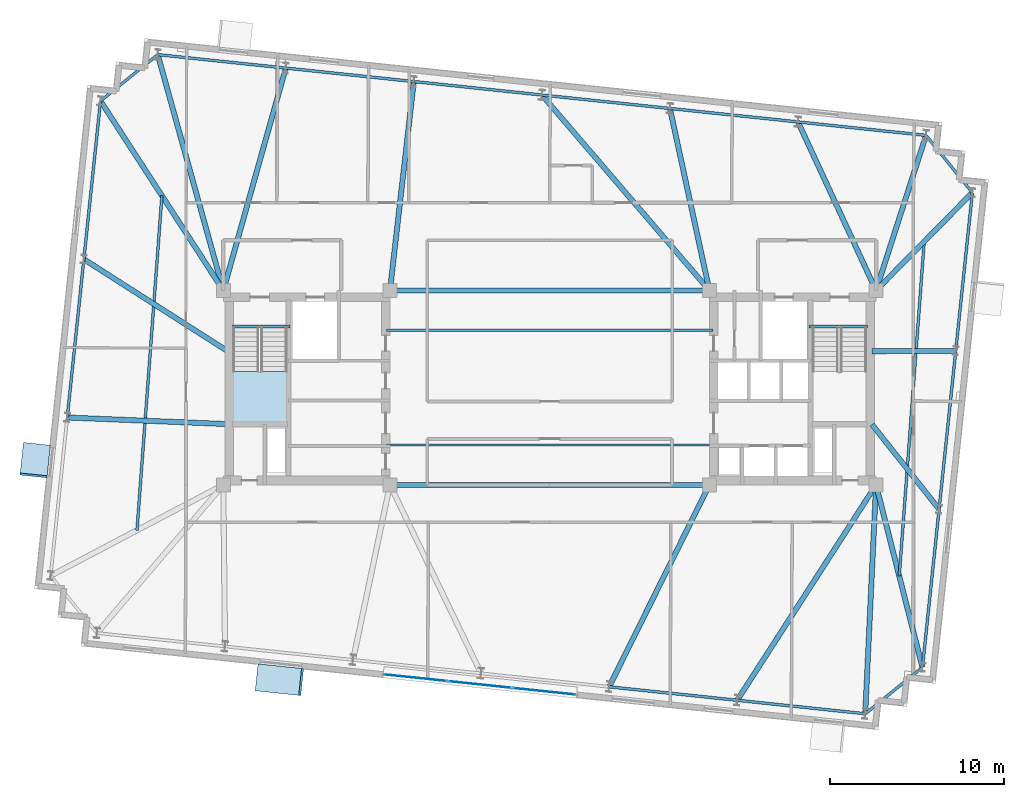
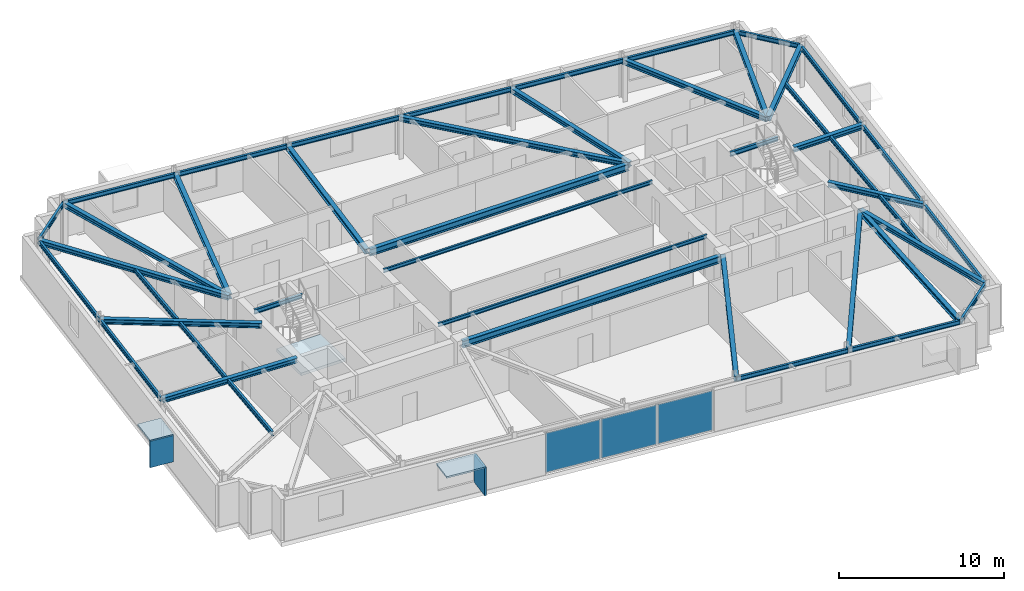
# One storey, part 6 of 13: 41 beams, 7 plates, 1 slab, 2 elements without a shape of their own.
"""IFC4 building model written with IfcOpenShell, lengths in metres."""

import ifcopenshell
import ifcopenshell.guid

model = None  # the IFC model being written
_history = None  # IfcOwnerHistory: only IFC2X3 demands one
_inside = {}  # id of a spatial element -> (the spatial element, [elements in it])
_under = {}  # id of a project, library or spatial element -> (it, [spatial elements below it])
_declared = {}  # id of a project -> (the project, [libraries it declares])
_typed = {}  # id of a type object -> (the type object, [elements of that type])
_made_of = {}  # id of a material, layer set ... -> (it, [elements and type objects made of it])


def new_model(schema):
    """Start an empty IFC model of exactly this schema.

    Asked for "IFC4X3", IfcOpenShell would pick the latest addendum, in which some entities
    have other attributes; the version numbers below select the first issue.
    IFC2X3 requires an IfcOwnerHistory on every rooted entity: one is made here for all.
    """
    global model, _history
    if schema == "IFC4X3":
        model = ifcopenshell.file(schema_version=(4, 3, 0, 0))
    else:
        model = ifcopenshell.file(schema=schema)
    _inside.clear()
    _under.clear()
    _declared.clear()
    _typed.clear()
    _made_of.clear()
    _history = None
    if model.schema == "IFC2X3":
        org = make("IfcOrganization", Name="unknown")
        user = make(
            "IfcPersonAndOrganization",
            ThePerson=make("IfcPerson", FamilyName="unknown"),
            TheOrganization=org,
        )
        app = make(
            "IfcApplication",
            ApplicationDeveloper=org,
            Version="unknown",
            ApplicationFullName="unknown",
            ApplicationIdentifier="unknown",
        )
        _history = make(
            "IfcOwnerHistory",
            OwningUser=user,
            OwningApplication=app,
            ChangeAction="ADDED",
            CreationDate=0,
        )
    return model


def make(cls, **values):
    """One entity of the class cls with the attributes given. An attribute that is None is left unset."""
    return model.create_entity(
        cls, **{name: value for name, value in values.items() if value is not None}
    )


def rooted(cls, **values):
    """An entity with a GlobalId (a new one), such as an element, a storey or a relation."""
    return make(cls, GlobalId=ifcopenshell.guid.new(), OwnerHistory=_history, **values)


def si_unit(unit_type, name, prefix=None):
    """IfcSIUnit, for example si_unit("LENGTHUNIT", "METRE", prefix="MILLI")."""
    return make("IfcSIUnit", UnitType=unit_type, Prefix=prefix, Name=name)


def assignment(units):
    """IfcUnitAssignment: the units of a project."""
    return None if units is None else make("IfcUnitAssignment", Units=units)


def point(xyz):
    """IfcCartesianPoint."""
    return None if xyz is None else make("IfcCartesianPoint", Coordinates=xyz)


def direction(xyz):
    """IfcDirection."""
    return None if xyz is None else make("IfcDirection", DirectionRatios=xyz)


def frame(location, z_axis=None, x_axis=None):
    """IfcAxis2Placement3D, a coordinate frame: its origin and axes. An axis left out is left unset."""
    return make(
        "IfcAxis2Placement3D",
        Location=point(location),
        Axis=direction(z_axis),
        RefDirection=direction(x_axis),
    )


def frame_2d(location, x_axis=None):
    """IfcAxis2Placement2D, a coordinate frame in the plane: its origin and x axis."""
    return make(
        "IfcAxis2Placement2D", Location=point(location), RefDirection=direction(x_axis)
    )


def origin():
    """The frame at (0, 0, 0) with its axes left unset."""
    return frame((0.0, 0.0, 0.0))


def origin_2d():
    """The frame at (0, 0) in the plane with its x axis left unset."""
    return frame_2d((0.0, 0.0))


def place(relative_to, where):
    """IfcLocalPlacement: puts the frame where relative to a parent placement (None: the world)."""
    return make(
        "IfcLocalPlacement", PlacementRelTo=relative_to, RelativePlacement=where
    )


def context(
    kind, dimensions, precision=None, world=None, true_north=None, identifier=None
):
    """IfcGeometricRepresentationContext, for example the 3D "Model" context."""
    return make(
        "IfcGeometricRepresentationContext",
        ContextIdentifier=identifier,
        ContextType=kind,
        CoordinateSpaceDimension=dimensions,
        Precision=precision,
        WorldCoordinateSystem=world,
        TrueNorth=true_north,
    )


def subcontext(parent, identifier, kind, view, scale=None):
    """IfcGeometricRepresentationSubContext, for example "Body" below "Model"."""
    return make(
        "IfcGeometricRepresentationSubContext",
        ContextIdentifier=identifier,
        ContextType=kind,
        ParentContext=parent,
        TargetScale=scale,
        TargetView=view,
    )


def project(units=None, contexts=None):
    """IfcProject with its units and contexts."""
    return rooted(
        "IfcProject",
        Name="project",
        RepresentationContexts=contexts,
        UnitsInContext=assignment(units),
    )


def spatial(cls, under=None, at=None, **own):
    """A site, building, storey or space (cls), placed at a placement, below another one or the project."""
    s = rooted(cls, ObjectPlacement=at, **own)
    if under is not None:
        _under.setdefault(under.id(), (under, []))[1].append(s)
    return s


def polyline(points):
    """IfcPolyline through the points."""
    return make("IfcPolyline", Points=[point(p) for p in points])


def profile(cls, at=None, kind="AREA", **sizes):
    """A parametric profile (cls). Its sizes go by their IFC names, for example OverallWidth=200.0."""
    return make(cls, ProfileType=kind, Position=at, **sizes)


def rectangle(**sizes):
    """IfcRectangleProfileDef."""
    return profile("IfcRectangleProfileDef", **sizes)


def i_section(**sizes):
    """IfcIShapeProfileDef."""
    return profile("IfcIShapeProfileDef", **sizes)


def outline(outer, holes=None, kind="AREA"):
    """IfcArbitraryClosedProfileDef: a profile drawn as a closed curve; with holes, ...WithVoids."""
    if holes is None:
        return make("IfcArbitraryClosedProfileDef", ProfileType=kind, OuterCurve=outer)
    return make(
        "IfcArbitraryProfileDefWithVoids",
        ProfileType=kind,
        OuterCurve=outer,
        InnerCurves=holes,
    )


def extrude(swept, where, along, depth):
    """IfcExtrudedAreaSolid: the profile swept, set in the frame where, extruded along a direction by depth."""
    return make(
        "IfcExtrudedAreaSolid",
        SweptArea=swept,
        Position=where,
        ExtrudedDirection=direction(along),
        Depth=depth,
    )


def shape(context_of_items, identifier, shape_type, items):
    """IfcShapeRepresentation: the items that make up one representation, for example the "Body"."""
    return make(
        "IfcShapeRepresentation",
        ContextOfItems=context_of_items,
        RepresentationIdentifier=identifier,
        RepresentationType=shape_type,
        Items=items,
    )


def material(Name=None, Category=None):
    """IfcMaterial."""
    return make("IfcMaterial", Name=Name, Category=Category)


def layer(
    of_material, thickness, ventilated=None, Name=None, Category=None, Priority=None
):
    """IfcMaterialLayer: one layer of a wall or slab, of a material (None: an air gap)."""
    return make(
        "IfcMaterialLayer",
        Material=of_material,
        LayerThickness=thickness,
        IsVentilated=ventilated,
        Name=Name,
        Category=Category,
        Priority=Priority,
    )


def layer_set(layers, Name=None):
    """IfcMaterialLayerSet."""
    return make("IfcMaterialLayerSet", MaterialLayers=layers, LayerSetName=Name)


def material_profile(
    of_material, cross_section, Name=None, Category=None, Priority=None
):
    """IfcMaterialProfile: a cross section and its material."""
    return make(
        "IfcMaterialProfile",
        Name=Name,
        Material=of_material,
        Profile=cross_section,
        Priority=Priority,
        Category=Category,
    )


def profile_set(profiles, Name=None, composite=None):
    """IfcMaterialProfileSet."""
    return make(
        "IfcMaterialProfileSet",
        Name=Name,
        MaterialProfiles=profiles,
        CompositeProfile=composite,
    )


def made_of(thing, what):
    """Note that an element or type object is made of a material, layer set ...; save() writes the relation."""
    if what is not None:
        _made_of.setdefault(what.id(), (what, []))[1].append(thing)
    return thing


def type_object(cls, material=None, **own):
    """A type object (cls), such as IfcWallType, which elements share."""
    return made_of(rooted(cls, **own), material)


def element(
    cls,
    number,
    at=None,
    inside=None,
    cuts=None,
    type_object=None,
    material=None,
    context=None,
    identifier="Body",
    shape_type=None,
    held_by="IfcProductDefinitionShape",
    body=None,
    shapes=None,
    **own,
):
    """One element of the class cls, such as IfcWall. Its Tag is "e" and its number.

    at: its placement. inside: the storey or other place that contains it. cuts: it is an
    opening in that element (IfcRelVoidsElement). A single representation is given by context,
    identifier, shape_type and body (its items); several are given by shapes. held_by: the class
    of the entity that holds the representations. save() writes the other relations.
    """
    e = rooted(cls, Tag="e%d" % number, ObjectPlacement=at, **own)
    if body is not None:
        shapes = [shape(context, identifier, shape_type, body)]
    if shapes is not None:
        e.Representation = make(held_by, Representations=shapes)
    if inside is not None:
        _inside.setdefault(inside.id(), (inside, []))[1].append(e)
    if cuts is not None:
        rooted(
            "IfcRelVoidsElement", RelatingBuildingElement=cuts, RelatedOpeningElement=e
        )
    if type_object is not None:
        _typed.setdefault(type_object.id(), (type_object, []))[1].append(e)
    return made_of(e, material)


def aggregate(whole, parts):
    """IfcRelAggregates: a whole, such as a stair, and the parts it consists of."""
    return rooted("IfcRelAggregates", RelatingObject=whole, RelatedObjects=parts)


def save(model, path):
    """Write the relations noted so far, then the file.

    IfcRelAggregates (storeys below a building ...), IfcRelContainedInSpatialStructure (elements
    in a storey), IfcRelDefinesByType, IfcRelAssociatesMaterial and IfcRelDeclares: one each for
    every whole, place, type object, material and project.
    """
    for whole, parts in _under.values():
        aggregate(whole, parts)
    for where, things in _inside.values():
        rooted(
            "IfcRelContainedInSpatialStructure",
            RelatedElements=things,
            RelatingStructure=where,
        )
    for kind, things in _typed.values():
        rooted("IfcRelDefinesByType", RelatedObjects=things, RelatingType=kind)
    for what, things in _made_of.values():
        rooted("IfcRelAssociatesMaterial", RelatedObjects=things, RelatingMaterial=what)
    for by, libraries in _declared.values():
        rooted("IfcRelDeclares", RelatingContext=by, RelatedDefinitions=libraries)
    model.write(path)


model = new_model("IFC4")

# Units and contexts
model_context = context("Model", 3, precision=1e-05, world=origin(), true_north=direction((0.0, 1.0)))
body_context = subcontext(model_context, "Body", "Model", "MODEL_VIEW")
ifc_project = project(units=[si_unit("LENGTHUNIT", "METRE"), si_unit("AREAUNIT", "SQUARE_METRE"), si_unit("VOLUMEUNIT", "CUBIC_METRE"), si_unit("PLANEANGLEUNIT", "RADIAN"), si_unit("MASSUNIT", "GRAM", prefix="KILO")], contexts=[model_context])

# Site, building, storey
site_placement = place(None, origin())
site = spatial("IfcSite", under=ifc_project, at=site_placement, CompositionType="ELEMENT")
building_placement = place(site_placement, origin())
building = spatial("IfcBuilding", under=site, at=building_placement, Name="Qobustan Lattice House", CompositionType="ELEMENT")
storey_placement = place(building_placement, frame((0.0, 0.0, 199.75)))
storey = spatial("IfcBuildingStorey", under=building, at=storey_placement, Name="L56", CompositionType="ELEMENT", Elevation=199.75)

# Beams
ifc_material_1 = material(Name="Steel S355", Category="steel")
ifc_material_profile_1 = material_profile(ifc_material_1, i_section(OverallWidth=0.300048828125, OverallDepth=0.5, WebThickness=0.014404296875, FlangeThickness=0.028076171875, FilletRadius=0.027099609375, at=origin_2d()), Name="HEB500")
ifc_profile_set_1 = profile_set([ifc_material_profile_1], Name="Steel S355")
beam_type_1 = type_object("IfcBeamType", Name="BM-CG-HEB500", PredefinedType="USERDEFINED", material=ifc_profile_set_1)
for number, where, z_axis, x_axis, name in (
    (1, (-9.050048828125, -5.60009765625, 2.7900390625), (1.0, 0.0, 0.0), (0.0, 1.0, 0.0), "L56 core spine girder CG-CS"),
    (2, (-9.050048828125, 5.60009765625, 2.7900390625), (1.0, 0.0, 0.0), (0.0, 1.0, 0.0), "L56 core spine girder CG-CN"),
):
    element("IfcBeam", number, at=place(storey_placement, frame(where, z_axis=z_axis, x_axis=x_axis)), inside=storey, type_object=beam_type_1, Name=name, ObjectType="GIRDER", PredefinedType="USERDEFINED", context=body_context, shape_type="SweptSolid", body=[
        extrude(i_section(OverallWidth=0.300048828125, OverallDepth=0.5, WebThickness=0.014404296875, FlangeThickness=0.028076171875, FilletRadius=0.027099609375, at=origin_2d()), origin(), (0.0, 0.0, 1.0), 18.10009765625),
    ])
ifc_material_2 = material(Name="Steel S355", Category="steel")
ifc_material_profile_2 = material_profile(ifc_material_2, i_section(OverallWidth=0.300048828125, OverallDepth=0.360107421875, WebThickness=0.012451171875, FlangeThickness=0.0224609375, FilletRadius=0.027099609375, at=origin_2d()), Name="HEB360")
ifc_profile_set_2 = profile_set([ifc_material_profile_2], Name="Steel S355")
beam_type_2 = type_object("IfcBeamType", Name="BM-FLG-HEB360", PredefinedType="USERDEFINED", material=ifc_profile_set_2)
beam_1_placement = place(storey_placement, frame((3.436279296875, -17.211181640625, 2.860107421875), z_axis=(0.444630337125, 0.895714163843, 0.0), x_axis=(-0.895714163843, 0.444630337125, 0.0)))
element("IfcBeam", 3, at=beam_1_placement, inside=storey, type_object=beam_type_2, Name="L56 primary floor girder RAD-S5", ObjectType="GIRDER", PredefinedType="USERDEFINED", context=body_context, shape_type="SweptSolid", body=[
    extrude(i_section(OverallWidth=0.300048828125, OverallDepth=0.360107421875, WebThickness=0.012451171875, FlangeThickness=0.0224609375, FilletRadius=0.027099609375, at=origin_2d()), origin(), (0.0, 0.0, 1.0), 12.938232421875),
])
beam_2_placement = place(storey_placement, frame((10.814697265625, -17.98779296875, 2.860107421875), z_axis=(0.541810491961, 0.840500678644, 0.0), x_axis=(-0.840500678644, 0.541810491961, 0.0)))
element("IfcBeam", 4, at=beam_2_placement, inside=storey, type_object=beam_type_2, Name="L56 primary floor girder RAD-S6", ObjectType="GIRDER", PredefinedType="USERDEFINED", context=body_context, shape_type="SweptSolid", body=[
    extrude(i_section(OverallWidth=0.300048828125, OverallDepth=0.360107421875, WebThickness=0.012451171875, FlangeThickness=0.0224609375, FilletRadius=0.027099609375, at=origin_2d()), origin(), (0.0, 0.0, 1.0), 14.71337890625),
])
beam_3_placement = place(storey_placement, frame((18.178466796875, -18.759033203125, 2.860107421875), z_axis=(0.047180517312, 0.998886379318, 0.0), x_axis=(-0.998886379318, 0.047180517312, 0.0)))
element("IfcBeam", 5, at=beam_3_placement, inside=storey, type_object=beam_type_2, Name="L56 primary floor girder RAD-S7E", ObjectType="GIRDER", PredefinedType="USERDEFINED", context=body_context, shape_type="SweptSolid", body=[
    extrude(i_section(OverallWidth=0.300048828125, OverallDepth=0.360107421875, WebThickness=0.012451171875, FlangeThickness=0.0224609375, FilletRadius=0.027099609375, at=origin_2d()), origin(), (0.0, 0.0, 1.0), 13.148681640625),
])
beam_4_placement = place(storey_placement, frame((-22.570556640625, 19.159912109375, 2.860107421875), z_axis=(0.267904661715, -0.963445427739, 0.0), x_axis=(0.963445427739, 0.267904661715, 0.0)))
element("IfcBeam", 6, at=beam_4_placement, inside=storey, type_object=beam_type_2, Name="L56 primary floor girder RAD-N7W", ObjectType="GIRDER", PredefinedType="USERDEFINED", context=body_context, shape_type="SweptSolid", body=[
    extrude(i_section(OverallWidth=0.300048828125, OverallDepth=0.360107421875, WebThickness=0.012451171875, FlangeThickness=0.0224609375, FilletRadius=0.027099609375, at=origin_2d()), origin(), (0.0, 0.0, 1.0), 14.049560546875),
])
beam_5_placement = place(storey_placement, frame((-15.2080078125, 18.384521484375, 2.860107421875), z_axis=(-0.270487929903, -0.962723366174, 0.0), x_axis=(0.962723366174, -0.270487929903, 0.0)))
element("IfcBeam", 7, at=beam_5_placement, inside=storey, type_object=beam_type_2, Name="L56 primary floor girder RAD-N6", ObjectType="GIRDER", PredefinedType="USERDEFINED", context=body_context, shape_type="SweptSolid", body=[
    extrude(i_section(OverallWidth=0.300048828125, OverallDepth=0.360107421875, WebThickness=0.012451171875, FlangeThickness=0.0224609375, FilletRadius=0.027099609375, at=origin_2d()), origin(), (0.0, 0.0, 1.0), 13.254638671875),
])
beam_6_placement = place(storey_placement, frame((-7.827880859375, 17.608642578125, 2.860107421875), z_axis=(-0.11353003651, -0.993534564477, 0.0), x_axis=(0.993534564477, -0.11353003651, 0.0)))
element("IfcBeam", 8, at=beam_6_placement, inside=storey, type_object=beam_type_2, Name="L56 primary floor girder RAD-N5", ObjectType="GIRDER", PredefinedType="USERDEFINED", context=body_context, shape_type="SweptSolid", body=[
    extrude(i_section(OverallWidth=0.300048828125, OverallDepth=0.360107421875, WebThickness=0.012451171875, FlangeThickness=0.0224609375, FilletRadius=0.027099609375, at=origin_2d()), origin(), (0.0, 0.0, 1.0), 12.061767578125),
])
beam_7_placement = place(storey_placement, frame((-0.432861328125, 16.839111328125, 2.860107421875), z_axis=(0.650757358368, -0.759285756833, 0.0), x_axis=(0.759285756833, 0.650757358368, 0.0)))
element("IfcBeam", 9, at=beam_7_placement, inside=storey, type_object=beam_type_2, Name="L56 primary floor girder RAD-N4", ObjectType="GIRDER", PredefinedType="USERDEFINED", context=body_context, shape_type="SweptSolid", body=[
    extrude(i_section(OverallWidth=0.300048828125, OverallDepth=0.360107421875, WebThickness=0.012451171875, FlangeThickness=0.0224609375, FilletRadius=0.027099609375, at=origin_2d()), origin(), (0.0, 0.0, 1.0), 14.77734375),
])
beam_8_placement = place(storey_placement, frame((6.93212890625, 16.05859375, 2.860107421875), z_axis=(0.211908420044, -0.977289527988, 0.0), x_axis=(0.977289527988, 0.211908420044, 0.0)))
element("IfcBeam", 10, at=beam_8_placement, inside=storey, type_object=beam_type_2, Name="L56 primary floor girder RAD-N3", ObjectType="GIRDER", PredefinedType="USERDEFINED", context=body_context, shape_type="SweptSolid", body=[
    extrude(i_section(OverallWidth=0.300048828125, OverallDepth=0.360107421875, WebThickness=0.012451171875, FlangeThickness=0.0224609375, FilletRadius=0.027099609375, at=origin_2d()), origin(), (0.0, 0.0, 1.0), 10.676513671875),
])
beam_9_placement = place(storey_placement, frame((14.3134765625, 15.284912109375, 2.860107421875), z_axis=(0.420345924661, -0.907363931188, 0.0), x_axis=(0.907363931188, 0.420345924661, 0.0)))
element("IfcBeam", 11, at=beam_9_placement, inside=storey, type_object=beam_type_2, Name="L56 primary floor girder RAD-N2", ObjectType="GIRDER", PredefinedType="USERDEFINED", context=body_context, shape_type="SweptSolid", body=[
    extrude(i_section(OverallWidth=0.300048828125, OverallDepth=0.360107421875, WebThickness=0.012451171875, FlangeThickness=0.0224609375, FilletRadius=0.027099609375, at=origin_2d()), origin(), (0.0, 0.0, 1.0), 10.6484375),
])
beam_10_placement = place(storey_placement, frame((21.67138671875, 14.5087890625, 2.860107421875), z_axis=(-0.306773532579, -0.951782538035, 0.0), x_axis=(0.951782538035, -0.306773532579, 0.0)))
element("IfcBeam", 12, at=beam_10_placement, inside=storey, type_object=beam_type_2, Name="L56 primary floor girder RAD-N1E", ObjectType="GIRDER", PredefinedType="USERDEFINED", context=body_context, shape_type="SweptSolid", body=[
    extrude(i_section(OverallWidth=0.300048828125, OverallDepth=0.360107421875, WebThickness=0.012451171875, FlangeThickness=0.0224609375, FilletRadius=0.027099609375, at=origin_2d()), origin(), (0.0, 0.0, 1.0), 9.335205078125),
])
beam_11_placement = place(storey_placement, frame((-25.86083984375, 16.492919921875, 2.860107421875), z_axis=(0.543926170046, -0.839133077371, 0.0), x_axis=(0.839133077371, 0.543926170046, 0.0)))
element("IfcBeam", 13, at=beam_11_placement, inside=storey, type_object=beam_type_2, Name="L56 primary floor girder RAD-W1", ObjectType="GIRDER", PredefinedType="USERDEFINED", context=body_context, shape_type="SweptSolid", body=[
    extrude(i_section(OverallWidth=0.300048828125, OverallDepth=0.360107421875, WebThickness=0.012451171875, FlangeThickness=0.0224609375, FilletRadius=0.027099609375, at=origin_2d()), origin(), (0.0, 0.0, 1.0), 12.9560546875),
])
beam_12_placement = place(storey_placement, frame((-26.8115234375, 7.384033203125, 2.860107421875), z_axis=(0.842429105495, -0.538807203195, 0.0), x_axis=(0.538807203195, 0.842429105495, 0.0)))
element("IfcBeam", 14, at=beam_12_placement, inside=storey, type_object=beam_type_2, Name="L56 primary floor girder RAD-W2", ObjectType="GIRDER", PredefinedType="USERDEFINED", context=body_context, shape_type="SweptSolid", body=[
    extrude(i_section(OverallWidth=0.300048828125, OverallDepth=0.360107421875, WebThickness=0.012451171875, FlangeThickness=0.0224609375, FilletRadius=0.027099609375, at=origin_2d()), origin(), (0.0, 0.0, 1.0), 9.78173828125),
])
beam_13_placement = place(storey_placement, frame((-27.765869140625, -1.719970703125, 2.860107421875), z_axis=(0.999150190925, -0.041217665795, 0.0), x_axis=(0.041217665795, 0.999150190925, 0.0)))
element("IfcBeam", 15, at=beam_13_placement, inside=storey, type_object=beam_type_2, Name="L56 primary floor girder RAD-W3", ObjectType="GIRDER", PredefinedType="USERDEFINED", context=body_context, shape_type="SweptSolid", body=[
    extrude(i_section(OverallWidth=0.300048828125, OverallDepth=0.360107421875, WebThickness=0.012451171875, FlangeThickness=0.0224609375, FilletRadius=0.027099609375, at=origin_2d()), origin(), (0.0, 0.0, 1.0), 9.19873046875),
])
beam_14_placement = place(storey_placement, frame((24.331298828125, 11.217529296875, 2.860107421875), z_axis=(-0.701633616284, -0.712537906712, 0.0), x_axis=(0.712537906712, -0.701633616284, 0.0)))
element("IfcBeam", 16, at=beam_14_placement, inside=storey, type_object=beam_type_2, Name="L56 primary floor girder RAD-E4", ObjectType="GIRDER", PredefinedType="USERDEFINED", context=body_context, shape_type="SweptSolid", body=[
    extrude(i_section(OverallWidth=0.300048828125, OverallDepth=0.360107421875, WebThickness=0.012451171875, FlangeThickness=0.0224609375, FilletRadius=0.027099609375, at=origin_2d()), origin(), (0.0, 0.0, 1.0), 7.858642578125),
])
beam_15_placement = place(storey_placement, frame((23.36572265625, 2.118896484375, 2.860107421875), z_axis=(-0.999992301331, -0.003923936564, 0.0), x_axis=(0.003923936564, -0.999992301331, 0.0)))
element("IfcBeam", 17, at=beam_15_placement, inside=storey, type_object=beam_type_2, Name="L56 primary floor girder RAD-E3", ObjectType="GIRDER", PredefinedType="USERDEFINED", context=body_context, shape_type="SweptSolid", body=[
    extrude(i_section(OverallWidth=0.300048828125, OverallDepth=0.360107421875, WebThickness=0.012451171875, FlangeThickness=0.0224609375, FilletRadius=0.027099609375, at=origin_2d()), origin(), (0.0, 0.0, 1.0), 4.790771484375),
])
beam_16_placement = place(storey_placement, frame((22.4169921875, -6.97802734375, 2.860107421875), z_axis=(-0.621231320857, 0.783627236629, 0.0), x_axis=(-0.783627236629, -0.621231320857, 0.0)))
element("IfcBeam", 18, at=beam_16_placement, inside=storey, type_object=beam_type_2, Name="L56 primary floor girder RAD-E2", ObjectType="GIRDER", PredefinedType="USERDEFINED", context=body_context, shape_type="SweptSolid", body=[
    extrude(i_section(OverallWidth=0.300048828125, OverallDepth=0.360107421875, WebThickness=0.012451171875, FlangeThickness=0.0224609375, FilletRadius=0.027099609375, at=origin_2d()), origin(), (0.0, 0.0, 1.0), 6.199951171875),
])
beam_17_placement = place(storey_placement, frame((21.46826171875, -16.08984375, 2.860107421875), z_axis=(-0.246517911643, 0.969138235361, 0.0), x_axis=(-0.969138235361, -0.246517911643, 0.0)))
element("IfcBeam", 19, at=beam_17_placement, inside=storey, type_object=beam_type_2, Name="L56 primary floor girder RAD-E1", ObjectType="GIRDER", PredefinedType="USERDEFINED", context=body_context, shape_type="SweptSolid", body=[
    extrude(i_section(OverallWidth=0.300048828125, OverallDepth=0.360107421875, WebThickness=0.012451171875, FlangeThickness=0.0224609375, FilletRadius=0.027099609375, at=origin_2d()), origin(), (0.0, 0.0, 1.0), 10.798828125),
])
ifc_material_3 = material(Name="Steel S355", Category="steel")
ifc_material_profile_3 = material_profile(ifc_material_3, i_section(OverallWidth=0.135009765625, OverallDepth=0.27001953125, WebThickness=0.006591796875, FlangeThickness=0.01025390625, FilletRadius=0.014892578125, at=origin_2d()), Name="IPE270")
ifc_profile_set_3 = profile_set([ifc_material_profile_3], Name="Steel S355")
beam_type_3 = type_object("IfcBeamType", Name="BM-JST-IPE270", PredefinedType="JOIST", material=ifc_profile_set_3)
for number, where, z_axis, x_axis, name in (
    (20, (-9.39990234375, -3.300048828125, 2.905029296875), (1.0, 0.0, 0.0), (0.0, 1.0, 0.0), "L56 central span floor joist 1"),
    (21, (-9.39990234375, 3.300048828125, 2.905029296875), (1.0, 0.0, 0.0), (0.0, 1.0, 0.0), "L56 central span floor joist 2"),
):
    element("IfcBeam", number, at=place(storey_placement, frame(where, z_axis=z_axis, x_axis=x_axis)), inside=storey, type_object=beam_type_3, Name=name, PredefinedType="JOIST", context=body_context, shape_type="SweptSolid", body=[
        extrude(i_section(OverallWidth=0.135009765625, OverallDepth=0.27001953125, WebThickness=0.006591796875, FlangeThickness=0.01025390625, FilletRadius=0.014892578125, at=origin_2d()), origin(), (0.0, 0.0, 1.0), 18.7998046875),
    ])
ifc_material_4 = material(Name="Steel S355", Category="steel")
ifc_material_profile_4 = material_profile(ifc_material_4, i_section(OverallWidth=0.159912109375, OverallDepth=0.330078125, WebThickness=0.007568359375, FlangeThickness=0.011474609375, FilletRadius=0.01806640625, at=origin_2d()), Name="IPE330")
ifc_profile_set_4 = profile_set([ifc_material_profile_4], Name="Steel S355")
beam_type_4 = type_object("IfcBeamType", Name="BM-SEC-IPE330", PredefinedType="BEAM", material=ifc_profile_set_4)
beam_18_placement = place(storey_placement, frame((-22.337158203125, 11.056884765625, 2.875), z_axis=(-0.074361616657, -0.997231342251, 0.0), x_axis=(0.997231342251, -0.074361616657, 0.0)))
element("IfcBeam", 22, at=beam_18_placement, inside=storey, type_object=beam_type_4, Name="L56 west wing secondary beam", PredefinedType="BEAM", context=body_context, shape_type="SweptSolid", body=[
    extrude(i_section(OverallWidth=0.159912109375, OverallDepth=0.330078125, WebThickness=0.007568359375, FlangeThickness=0.011474609375, FilletRadius=0.01806640625, at=origin_2d()), origin(), (0.0, 0.0, 1.0), 19.327880859375),
])
beam_19_placement = place(storey_placement, frame((21.574462890625, 8.417724609375, 2.875), z_axis=(-0.074360679971, -0.997231412098, 0.0), x_axis=(0.997231412098, -0.074360679971, 0.0)))
element("IfcBeam", 23, at=beam_19_placement, inside=storey, type_object=beam_type_4, Name="L56 east wing secondary beam", PredefinedType="BEAM", context=body_context, shape_type="SweptSolid", body=[
    extrude(i_section(OverallWidth=0.159912109375, OverallDepth=0.330078125, WebThickness=0.007568359375, FlangeThickness=0.011474609375, FilletRadius=0.01806640625, at=origin_2d()), origin(), (0.0, 0.0, 1.0), 19.328125),
])
ifc_material_5 = material(Name="Steel S355", Category="steel")
ifc_material_profile_5 = material_profile(ifc_material_5, i_section(OverallWidth=0.159912109375, OverallDepth=0.330078125, WebThickness=0.007568359375, FlangeThickness=0.011474609375, FilletRadius=0.01806640625, at=origin_2d()), Name="IPE330")
ifc_profile_set_5 = profile_set([ifc_material_profile_5], Name="Steel S355")
beam_type_5 = type_object("IfcBeamType", Name="BM-SPD-IPE330", PredefinedType="SPANDREL", material=ifc_profile_set_5)
for number, where, z_axis, x_axis, name in (
    (24, (-18.300048828125, 3.52001953125, 2.875), (1.0, 0.0, 0.0), (0.0, 1.0, 0.0), "L56 west stair landing trimmer beam"),
    (25, (14.949951171875, 3.52001953125, 2.875), (1.0, 0.0, 0.0), (0.0, 1.0, 0.0), "L56 east stair landing trimmer beam"),
):
    element("IfcBeam", number, at=place(storey_placement, frame(where, z_axis=z_axis, x_axis=x_axis)), inside=storey, type_object=beam_type_5, Name=name, PredefinedType="SPANDREL", context=body_context, shape_type="SweptSolid", body=[
        extrude(i_section(OverallWidth=0.159912109375, OverallDepth=0.330078125, WebThickness=0.007568359375, FlangeThickness=0.011474609375, FilletRadius=0.01806640625, at=origin_2d()), origin(), (0.0, 0.0, 1.0), 3.35009765625),
    ])
for number, where, z_axis, x_axis, name in (
    (26, (3.4501953125, -17.236083984375, 2.875), (0.994521784746, -0.104529515765, 0.0), (0.104529515765, 0.994521784746, 0.0), "L56 perimeter spandrel S5-S6"),
    (27, (10.826171875, -18.01123046875, 2.875), (0.99451833889, -0.104562295361, 0.0), (0.104562295361, 0.99451833889, 0.0), "L56 perimeter spandrel S6-S7"),
):
    element("IfcBeam", number, at=place(storey_placement, frame(where, z_axis=z_axis, x_axis=x_axis)), inside=storey, type_object=beam_type_5, Name=name, PredefinedType="SPANDREL", context=body_context, shape_type="SweptSolid", body=[
        extrude(i_section(OverallWidth=0.159912109375, OverallDepth=0.330078125, WebThickness=0.007568359375, FlangeThickness=0.011474609375, FilletRadius=0.01806640625, at=origin_2d()), origin(), (0.0, 0.0, 1.0), 7.366455078125),
    ])
beam_20_placement = place(storey_placement, frame((18.19677734375, -18.768310546875, 2.875), z_axis=(0.777128239225, 0.629342275554, 0.0), x_axis=(-0.629342275554, 0.777128239225, 0.0)))
element("IfcBeam", 28, at=beam_20_placement, inside=storey, type_object=beam_type_5, Name="L56 perimeter spandrel S7-E1", PredefinedType="SPANDREL", context=body_context, shape_type="SweptSolid", body=[
    extrude(i_section(OverallWidth=0.159912109375, OverallDepth=0.330078125, WebThickness=0.007568359375, FlangeThickness=0.011474609375, FilletRadius=0.01806640625, at=origin_2d()), origin(), (0.0, 0.0, 1.0), 4.192626953125),
])
for number, where, z_axis, x_axis, name in (
    (29, (21.47705078125, -16.089111328125, 2.875), (0.10452168293, 0.994522607987, 0.0), (-0.994522607987, 0.10452168293, 0.0), "L56 perimeter spandrel E1-E2"),
    (30, (22.435302734375, -6.97265625, 2.875), (0.10452168293, 0.994522607987, 0.0), (-0.994522607987, 0.10452168293, 0.0), "L56 perimeter spandrel E2-E3"),
    (31, (23.393310546875, 2.143798828125, 2.875), (0.10452168293, 0.994522607987, 0.0), (-0.994522607987, 0.10452168293, 0.0), "L56 perimeter spandrel E3-E4"),
):
    element("IfcBeam", number, at=place(storey_placement, frame(where, z_axis=z_axis, x_axis=x_axis)), inside=storey, type_object=beam_type_5, Name=name, PredefinedType="SPANDREL", context=body_context, shape_type="SweptSolid", body=[
        extrude(i_section(OverallWidth=0.159912109375, OverallDepth=0.330078125, WebThickness=0.007568359375, FlangeThickness=0.011474609375, FilletRadius=0.01806640625, at=origin_2d()), origin(), (0.0, 0.0, 1.0), 9.11669921875),
    ])
beam_21_placement = place(storey_placement, frame((24.333251953125, 11.254638671875, 2.875), z_axis=(-0.629313797654, 0.777151300637, 0.0), x_axis=(-0.777151300637, -0.629313797654, 0.0)))
element("IfcBeam", 32, at=beam_21_placement, inside=storey, type_object=beam_type_5, Name="L56 perimeter spandrel E4-N1", PredefinedType="SPANDREL", context=body_context, shape_type="SweptSolid", body=[
    extrude(i_section(OverallWidth=0.159912109375, OverallDepth=0.330078125, WebThickness=0.007568359375, FlangeThickness=0.011474609375, FilletRadius=0.01806640625, at=origin_2d()), origin(), (0.0, 0.0, 1.0), 4.19287109375),
])
for number, where, z_axis, x_axis, name in (
    (33, (21.654052734375, 14.53515625, 2.875), (-0.994521784746, 0.104529515765, 0.0), (-0.104529515765, -0.994521784746, 0.0), "L56 perimeter spandrel N1-N2"),
    (34, (14.278076171875, 15.310302734375, 2.875), (-0.994521784746, 0.104529515765, 0.0), (-0.104529515765, -0.994521784746, 0.0), "L56 perimeter spandrel N2-N3"),
):
    element("IfcBeam", number, at=place(storey_placement, frame(where, z_axis=z_axis, x_axis=x_axis)), inside=storey, type_object=beam_type_5, Name=name, PredefinedType="SPANDREL", context=body_context, shape_type="SweptSolid", body=[
        extrude(i_section(OverallWidth=0.159912109375, OverallDepth=0.330078125, WebThickness=0.007568359375, FlangeThickness=0.011474609375, FilletRadius=0.01806640625, at=origin_2d()), origin(), (0.0, 0.0, 1.0), 7.366455078125),
    ])
beam_22_placement = place(storey_placement, frame((6.902099609375, 16.085693359375, 2.875), z_axis=(-0.99452214685, 0.104526070551, 0.0), x_axis=(-0.104526070551, -0.99452214685, 0.0)))
element("IfcBeam", 35, at=beam_22_placement, inside=storey, type_object=beam_type_5, Name="L56 perimeter spandrel N3-N4", PredefinedType="SPANDREL", context=body_context, shape_type="SweptSolid", body=[
    extrude(i_section(OverallWidth=0.159912109375, OverallDepth=0.330078125, WebThickness=0.007568359375, FlangeThickness=0.011474609375, FilletRadius=0.01806640625, at=origin_2d()), origin(), (0.0, 0.0, 1.0), 7.36669921875),
])
for number, where, z_axis, x_axis, name in (
    (36, (-0.47412109375, 16.86083984375, 2.875), (-0.994521784746, 0.104529515765, 0.0), (-0.104529515765, -0.994521784746, 0.0), "L56 perimeter spandrel N4-N5"),
    (37, (-7.85009765625, 17.635986328125, 2.875), (-0.994521784746, 0.104529515765, 0.0), (-0.104529515765, -0.994521784746, 0.0), "L56 perimeter spandrel N5-N6"),
):
    element("IfcBeam", number, at=place(storey_placement, frame(where, z_axis=z_axis, x_axis=x_axis)), inside=storey, type_object=beam_type_5, Name=name, PredefinedType="SPANDREL", context=body_context, shape_type="SweptSolid", body=[
        extrude(i_section(OverallWidth=0.159912109375, OverallDepth=0.330078125, WebThickness=0.007568359375, FlangeThickness=0.011474609375, FilletRadius=0.01806640625, at=origin_2d()), origin(), (0.0, 0.0, 1.0), 7.366455078125),
    ])
beam_23_placement = place(storey_placement, frame((-15.22607421875, 18.411376953125, 2.875), z_axis=(-0.99452214685, 0.104526070551, 0.0), x_axis=(-0.104526070551, -0.99452214685, 0.0)))
element("IfcBeam", 38, at=beam_23_placement, inside=storey, type_object=beam_type_5, Name="L56 perimeter spandrel N6-N7", PredefinedType="SPANDREL", context=body_context, shape_type="SweptSolid", body=[
    extrude(i_section(OverallWidth=0.159912109375, OverallDepth=0.330078125, WebThickness=0.007568359375, FlangeThickness=0.011474609375, FilletRadius=0.01806640625, at=origin_2d()), origin(), (0.0, 0.0, 1.0), 7.36669921875),
])
beam_24_placement = place(storey_placement, frame((-22.5966796875, 19.168212890625, 2.875), z_axis=(-0.777156718239, -0.629307107299, 0.0), x_axis=(0.629307107299, -0.777156718239, 0.0)))
element("IfcBeam", 39, at=beam_24_placement, inside=storey, type_object=beam_type_5, Name="L56 perimeter spandrel N7-W1", PredefinedType="SPANDREL", context=body_context, shape_type="SweptSolid", body=[
    extrude(i_section(OverallWidth=0.159912109375, OverallDepth=0.330078125, WebThickness=0.007568359375, FlangeThickness=0.011474609375, FilletRadius=0.01806640625, at=origin_2d()), origin(), (0.0, 0.0, 1.0), 4.192626953125),
])
beam_25_placement = place(storey_placement, frame((-25.876953125, 16.489013671875, 2.875), z_axis=(-0.104550954592, -0.994519531178, 0.0), x_axis=(0.994519531178, -0.104550954592, 0.0)))
element("IfcBeam", 40, at=beam_25_placement, inside=storey, type_object=beam_type_5, Name="L56 perimeter spandrel W1-W2", PredefinedType="SPANDREL", context=body_context, shape_type="SweptSolid", body=[
    extrude(i_section(OverallWidth=0.159912109375, OverallDepth=0.330078125, WebThickness=0.007568359375, FlangeThickness=0.011474609375, FilletRadius=0.01806640625, at=origin_2d()), origin(), (0.0, 0.0, 1.0), 9.116455078125),
])
beam_26_placement = place(storey_placement, frame((-26.835205078125, 7.372802734375, 2.875), z_axis=(-0.104518899262, -0.994522900539, 0.0), x_axis=(0.994522900539, -0.104518899262, 0.0)))
element("IfcBeam", 41, at=beam_26_placement, inside=storey, type_object=beam_type_5, Name="L56 perimeter spandrel W2-W3", PredefinedType="SPANDREL", context=body_context, shape_type="SweptSolid", body=[
    extrude(i_section(OverallWidth=0.159912109375, OverallDepth=0.330078125, WebThickness=0.007568359375, FlangeThickness=0.011474609375, FilletRadius=0.01806640625, at=origin_2d()), origin(), (0.0, 0.0, 1.0), 9.116943359375),
])

# Curtain wall, plates
ifc_material_6 = material(Name="Anodised aluminium and low-E glazing", Category="aluminium")
ifc_layer_1 = layer(ifc_material_6, 0.219970703125)
ifc_layer_set_1 = layer_set([ifc_layer_1], Name="Anodised aluminium and low-E glazing")
curtain_wall_type = type_object("IfcCurtainWallType", Name="CW-IWN-01", PredefinedType="USERDEFINED", material=ifc_layer_set_1)
curtain_wall_placement = place(storey_placement, origin())
curtain_wall = element("IfcCurtainWall", 42, at=curtain_wall_placement, inside=storey, type_object=curtain_wall_type, Name="L56 IWAN-4 walnut-lined iwan curtain wall", ObjectType="CURTAIN WALL", PredefinedType="USERDEFINED")
ifc_material_7 = material(Name="Clear low-E laminated glass", Category="glass")
ifc_layer_2 = layer(ifc_material_7, 0.031982421875)
ifc_layer_set_2 = layer_set([ifc_layer_2], Name="Clear low-E laminated glass")
plate_type_1 = type_object("IfcPlateType", Name="CWP-VISION-32", PredefinedType="CURTAIN_PANEL", material=ifc_layer_set_2)
plate_1_placement = place(storey_placement, frame((-0.325927734375, -17.492919921875, 0.06494140625), z_axis=(0.0, 0.0, 1.0), x_axis=(-0.994521097429, 0.104536054872, 0.0)))
plate_1 = element("IfcPlate", 43, at=plate_1_placement, type_object=plate_type_1, Name="CW-IW panel 1.1", PredefinedType="CURTAIN_PANEL", context=body_context, shape_type="SweptSolid", body=[
    extrude(rectangle(XDim=3.61328125, YDim=0.031982421875, at=origin_2d()), origin(), (0.0, 0.0, 1.0), 2.909912109375),
])
plate_2_placement = place(storey_placement, frame((-4.018798828125, -17.104736328125, 0.06494140625), z_axis=(0.0, 0.0, 1.0), x_axis=(-0.994521097429, 0.104536054872, 0.0)))
plate_2 = element("IfcPlate", 44, at=plate_2_placement, type_object=plate_type_1, Name="CW-IW panel 2.1", PredefinedType="CURTAIN_PANEL", context=body_context, shape_type="SweptSolid", body=[
    extrude(rectangle(XDim=3.6533203125, YDim=0.031982421875, at=origin_2d()), origin(), (0.0, 0.0, 1.0), 2.909912109375),
])
plate_3_placement = place(storey_placement, frame((-7.711669921875, -16.716552734375, 0.06494140625), z_axis=(0.0, 0.0, 1.0), x_axis=(-0.994521097429, 0.104536054872, 0.0)))
plate_3 = element("IfcPlate", 45, at=plate_3_placement, type_object=plate_type_1, Name="CW-IW panel 3.1", PredefinedType="CURTAIN_PANEL", context=body_context, shape_type="SweptSolid", body=[
    extrude(rectangle(XDim=3.61328125, YDim=0.031982421875, at=origin_2d()), origin(), (0.0, 0.0, 1.0), 2.909912109375),
])
aggregate(curtain_wall, [plate_1, plate_2, plate_3])

# Plates
ifc_material_8 = material(Name="Qobustan limestone GFRC", Category="masonry")
ifc_layer_3 = layer(ifc_material_8, 0.1201171875)
ifc_layer_set_3 = layer_set([ifc_layer_3], Name="Qobustan limestone GFRC")
plate_type_2 = type_object("IfcPlateType", Name="SHD-HOOD-BROW", PredefinedType="USERDEFINED", material=ifc_layer_set_3)
plate_4_placement = place(storey_placement, frame((-29.6376953125, -4.176025390625, 2.699951171875), z_axis=(0.0, 0.0, 1.0), x_axis=(0.104528463268, 0.994521895368, 0.0)))
element("IfcPlate", 46, at=plate_4_placement, inside=storey, type_object=plate_type_2, Name="L56 splayed Qobustan stone hood brow", ObjectType="SUNSHADE", PredefinedType="USERDEFINED", context=body_context, shape_type="SweptSolid", body=[
    extrude(rectangle(XDim=1.889892578125, YDim=1.56005859375, at=origin_2d()), origin(), (0.0, 0.0, 1.0), 0.1201171875),
])
plate_5_placement = place(storey_placement, frame((-29.730224609375, -5.05615234375, 0.7900390625), z_axis=(0.0, 0.0, 1.0), x_axis=(0.104528463268, 0.994521895368, 0.0)))
element("IfcPlate", 47, at=plate_5_placement, inside=storey, type_object=plate_type_2, Name="L56 splayed Qobustan stone hood cheek", ObjectType="SUNSHADE", PredefinedType="USERDEFINED", context=body_context, shape_type="SweptSolid", body=[
    extrude(rectangle(XDim=0.1201171875, YDim=1.56005859375, at=origin_2d()), origin(), (0.0, 0.0, 1.0), 1.969970703125),
])
plate_6_placement = place(storey_placement, frame((-15.569580078125, -16.82568359375, 2.800048828125), z_axis=(0.0, 0.0, 1.0), x_axis=(-0.994521895368, 0.104528463268, 0.0)))
element("IfcPlate", 48, at=plate_6_placement, inside=storey, type_object=plate_type_2, Name="L56 splayed Qobustan stone hood brow", ObjectType="SUNSHADE", PredefinedType="USERDEFINED", context=body_context, shape_type="SweptSolid", body=[
    extrude(rectangle(XDim=2.639892578125, YDim=1.56005859375, at=origin_2d()), origin(), (0.0, 0.0, 1.0), 0.1201171875),
])
plate_7_placement = place(storey_placement, frame((-14.31640625, -16.95751953125, 0.7900390625), z_axis=(0.0, 0.0, 1.0), x_axis=(-0.994521895368, 0.104528463268, 0.0)))
element("IfcPlate", 49, at=plate_7_placement, inside=storey, type_object=plate_type_2, Name="L56 splayed Qobustan stone hood cheek", ObjectType="SUNSHADE", PredefinedType="USERDEFINED", context=body_context, shape_type="SweptSolid", body=[
    extrude(rectangle(XDim=0.1201171875, YDim=1.56005859375, at=origin_2d()), origin(), (0.0, 0.0, 1.0), 2.070068359375),
])

# Stair, slab
ifc_material_9 = material(Name="Concrete C40/50", Category="concrete")
stair_type = type_object("IfcStairType", Name="STR-CORE-DOGLEG", PredefinedType="HALF_TURN_STAIR", material=ifc_material_9)
stair_placement = place(storey_placement, origin())
stair = element("IfcStair", 50, at=stair_placement, inside=storey, type_object=stair_type, Name="L56 West protected exit stair ST-W1", PredefinedType="HALF_TURN_STAIR")
ifc_material_10 = material(Name="Concrete C40/50", Category="concrete")
ifc_layer_4 = layer(ifc_material_10, 0.199951171875)
ifc_layer_set_4 = layer_set([ifc_layer_4], Name="Concrete C40/50")
slab_type = type_object("IfcSlabType", Name="SLB-LANDING-200", PredefinedType="LANDING", material=ifc_layer_set_4)
slab_placement = place(storey_placement, frame((0.0, 0.0, 1.47509765625)))
slab = element("IfcSlab", 51, at=slab_placement, type_object=slab_type, Name="ST-W1 landing 1", PredefinedType="LANDING", context=body_context, shape_type="SweptSolid", body=[
    extrude(outline(polyline([(-18.25, 0.93505859375), (-18.25, -2.050048828125), (-15.1298828125, -2.050048828125), (-15.1298828125, 0.93505859375), (-18.25, 0.93505859375)])), origin(), (0.0, 0.0, 1.0), 0.199951171875),
])
aggregate(stair, [slab])

save(model, "model.ifc")
